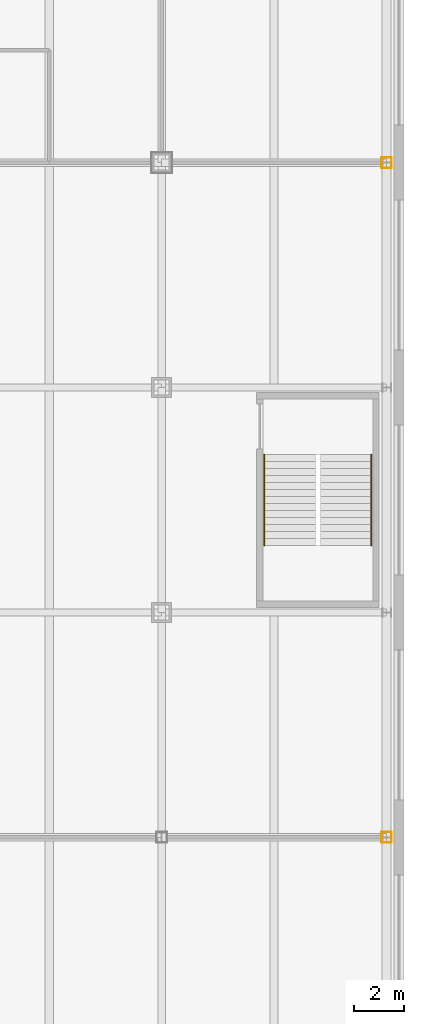
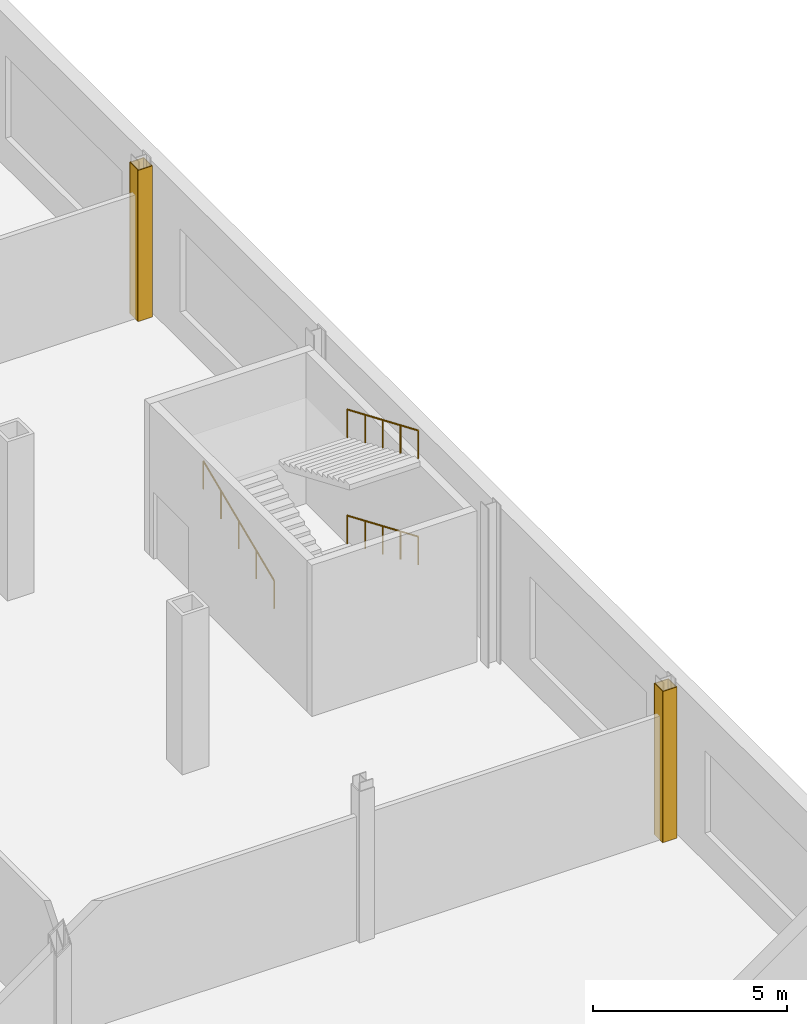
# One storey, part 25 of 28: 8 coverings, 3 railings.
"""IFC4 building model written with IfcOpenShell, lengths in metres."""

from ifc_helpers import new_model, si_unit, direction, frame, origin, origin_2d, place, context, subcontext, project, spatial, rectangle, circle, extrude, material, layer, layer_set, type_object, element, save


model = new_model("IFC4")

# Units and contexts
model_context = context("Model", 3, precision=1e-05, world=origin(), true_north=direction((0.0, 1.0)))
body_context = subcontext(model_context, "Body", "Model", "MODEL_VIEW")
ifc_project = project(units=[si_unit("LENGTHUNIT", "METRE"), si_unit("AREAUNIT", "SQUARE_METRE"), si_unit("VOLUMEUNIT", "CUBIC_METRE"), si_unit("PLANEANGLEUNIT", "RADIAN"), si_unit("MASSUNIT", "GRAM", prefix="KILO")], contexts=[model_context])

# Site, building, storey
site_placement = place(None, origin())
site = spatial("IfcSite", under=ifc_project, at=site_placement, CompositionType="ELEMENT")
building_placement = place(site_placement, origin())
building = spatial("IfcBuilding", under=site, at=building_placement, Name="Loomwork Tower", CompositionType="ELEMENT")
storey_placement = place(building_placement, frame((0.0, 0.0, 6.0)))
storey = spatial("IfcBuildingStorey", under=building, at=storey_placement, Name="L01", CompositionType="ELEMENT", Elevation=6.0)

# Coverings
ifc_material_1 = material(Name="Two-hour fire-rated gypsum board casing")
ifc_layer = layer(ifc_material_1, 0.02490234375)
ifc_layer_set = layer_set([ifc_layer], Name="Column fire casing 25")
covering_type = type_object("IfcCoveringType", Name="Column fire casing 25", PredefinedType="CLADDING", material=ifc_layer_set)
for number, where, z_axis, x_axis, name in (
    (1, (63.0, -8.790771484375, 0.0), (0.0, 0.0, 1.0), (1.0, 0.0, 0.0), "Column casing 63 -9 L01"),
    (2, (63.0, -9.209228515625, 0.0), (0.0, 0.0, 1.0), (1.0, 0.0, 0.0), "Column casing 63 -9 L01"),
):
    element("IfcCovering", number, at=place(storey_placement, frame(where, z_axis=z_axis, x_axis=x_axis)), inside=storey, type_object=covering_type, Name=name, PredefinedType="CLADDING", context=body_context, shape_type="SweptSolid", body=[
        extrude(rectangle(XDim=0.42578125, YDim=0.02490234375, at=origin_2d()), origin(), (0.0, 0.0, 1.0), 4.75),
    ])
for number, where, z_axis, x_axis, name in (
    (3, (63.200439453125, -9.0, 0.0), (0.0, 0.0, 1.0), (1.0, 0.0, 0.0), "Column casing 63 -9 L01"),
    (4, (62.799560546875, -9.0, 0.0), (0.0, 0.0, 1.0), (1.0, 0.0, 0.0), "Column casing 63 -9 L01"),
):
    element("IfcCovering", number, at=place(storey_placement, frame(where, z_axis=z_axis, x_axis=x_axis)), inside=storey, type_object=covering_type, Name=name, PredefinedType="CLADDING", context=body_context, shape_type="SweptSolid", body=[
        extrude(rectangle(XDim=0.02490234375, YDim=0.393798828125, at=origin_2d()), origin(), (0.0, 0.0, 1.0), 4.75),
    ])
for number, where, z_axis, x_axis, name in (
    (5, (63.0, 18.20947265625, 0.0), (0.0, 0.0, 1.0), (1.0, 0.0, 0.0), "Column casing 63 18 L01"),
    (6, (63.0, 17.79052734375, 0.0), (0.0, 0.0, 1.0), (1.0, 0.0, 0.0), "Column casing 63 18 L01"),
):
    element("IfcCovering", number, at=place(storey_placement, frame(where, z_axis=z_axis, x_axis=x_axis)), inside=storey, type_object=covering_type, Name=name, PredefinedType="CLADDING", context=body_context, shape_type="SweptSolid", body=[
        extrude(rectangle(XDim=0.42578125, YDim=0.02490234375, at=origin_2d()), origin(), (0.0, 0.0, 1.0), 4.75),
    ])
for number, where, z_axis, x_axis, name in (
    (7, (63.200439453125, 18.0, 0.0), (0.0, 0.0, 1.0), (1.0, 0.0, 0.0), "Column casing 63 18 L01"),
    (8, (62.799560546875, 18.0, 0.0), (0.0, 0.0, 1.0), (1.0, 0.0, 0.0), "Column casing 63 18 L01"),
):
    element("IfcCovering", number, at=place(storey_placement, frame(where, z_axis=z_axis, x_axis=x_axis)), inside=storey, type_object=covering_type, Name=name, PredefinedType="CLADDING", context=body_context, shape_type="SweptSolid", body=[
        extrude(rectangle(XDim=0.02490234375, YDim=0.393798828125, at=origin_2d()), origin(), (0.0, 0.0, 1.0), 4.75),
    ])

# Railings
ifc_material_2 = material(Name="Stainless steel handrail", Category="steel")
railing_type = type_object("IfcRailingType", Name="Handrail 900", PredefinedType="HANDRAIL", material=ifc_material_2)
railing_1_placement = place(storey_placement, frame((62.389892578125, 6.320068359375, 0.118896484375)))
element("IfcRailing", 9, at=railing_1_placement, inside=storey, type_object=railing_type, Name="Podium stair PS6 handrail flight 1 L01", PredefinedType="HANDRAIL", context=body_context, shape_type="SweptSolid", body=[
    extrude(circle(Radius=0.02392578125, at=origin_2d()), frame((0.0, 0.0, 0.8759765625), z_axis=(0.0, -0.920258693564, 0.391310537706), x_axis=(1.0, 0.0, 0.0)), (0.0, 0.0, 1.0), 3.95556640625),
    extrude(circle(Radius=0.02099609375, at=origin_2d()), origin(), (0.0, 0.0, 1.0), 0.851806640625),
    extrude(circle(Radius=0.02099609375, at=origin_2d()), frame((0.0, -0.91015625, 0.386962890625)), (0.0, 0.0, 1.0), 0.851806640625),
    extrude(circle(Radius=0.02099609375, at=origin_2d()), frame((0.0, -1.820068359375, 0.77392578125)), (0.0, 0.0, 1.0), 0.851806640625),
    extrude(circle(Radius=0.02099609375, at=origin_2d()), frame((0.0, -2.72998046875, 1.160888671875)), (0.0, 0.0, 1.0), 0.851806640625),
    extrude(circle(Radius=0.02099609375, at=origin_2d()), frame((0.0, -3.64013671875, 1.5478515625)), (0.0, 0.0, 1.0), 0.851806640625),
])
railing_2_placement = place(storey_placement, frame((58.110107421875, 2.679931640625, 1.78564453125)))
element("IfcRailing", 10, at=railing_2_placement, inside=storey, type_object=railing_type, Name="Podium stair PS6 handrail flight 2 L01", PredefinedType="HANDRAIL", context=body_context, shape_type="SweptSolid", body=[
    extrude(circle(Radius=0.02392578125, at=origin_2d()), frame((0.0, 0.0, 0.8759765625), z_axis=(0.0, 0.920258693564, 0.391310537706), x_axis=(-1.0, 0.0, 0.0)), (0.0, 0.0, 1.0), 3.95556640625),
    extrude(circle(Radius=0.02099609375, at=origin_2d()), origin(), (0.0, 0.0, 1.0), 0.851806640625),
    extrude(circle(Radius=0.02099609375, at=origin_2d()), frame((0.0, 0.91015625, 0.386962890625)), (0.0, 0.0, 1.0), 0.851806640625),
    extrude(circle(Radius=0.02099609375, at=origin_2d()), frame((0.0, 1.820068359375, 0.77392578125)), (0.0, 0.0, 1.0), 0.851806640625),
    extrude(circle(Radius=0.02099609375, at=origin_2d()), frame((0.0, 2.72998046875, 1.160888671875)), (0.0, 0.0, 1.0), 0.851806640625),
    extrude(circle(Radius=0.02099609375, at=origin_2d()), frame((0.0, 3.64013671875, 1.5478515625)), (0.0, 0.0, 1.0), 0.851806640625),
])
railing_3_placement = place(storey_placement, frame((62.389892578125, 6.320068359375, 3.452392578125)))
element("IfcRailing", 11, at=railing_3_placement, inside=storey, type_object=railing_type, Name="Podium stair PS6 handrail flight 3 L01", PredefinedType="HANDRAIL", context=body_context, shape_type="SweptSolid", body=[
    extrude(circle(Radius=0.02392578125, at=origin_2d()), frame((0.0, 0.0, 0.8759765625), z_axis=(0.0, -0.920280918742, 0.391258265855), x_axis=(1.0, 0.0, 0.0)), (0.0, 0.0, 1.0), 3.95556640625),
    extrude(circle(Radius=0.02099609375, at=origin_2d()), origin(), (0.0, 0.0, 1.0), 0.851806640625),
    extrude(circle(Radius=0.02099609375, at=origin_2d()), frame((0.0, -0.91015625, 0.386962890625)), (0.0, 0.0, 1.0), 0.851806640625),
    extrude(circle(Radius=0.02099609375, at=origin_2d()), frame((0.0, -1.820068359375, 0.77392578125)), (0.0, 0.0, 1.0), 0.851806640625),
    extrude(circle(Radius=0.02099609375, at=origin_2d()), frame((0.0, -2.72998046875, 1.16064453125)), (0.0, 0.0, 1.0), 0.851806640625),
    extrude(circle(Radius=0.02099609375, at=origin_2d()), frame((0.0, -3.64013671875, 1.547607421875)), (0.0, 0.0, 1.0), 0.851806640625),
])

save(model, "model.ifc")
